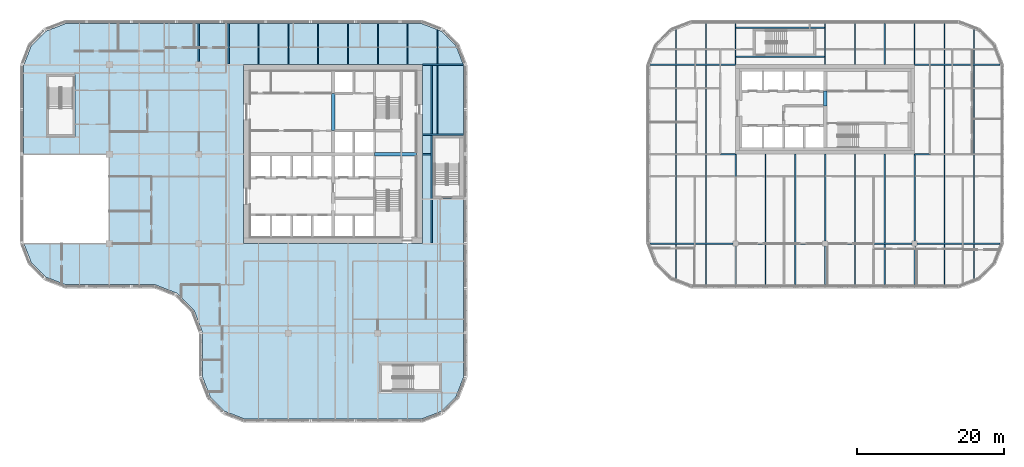
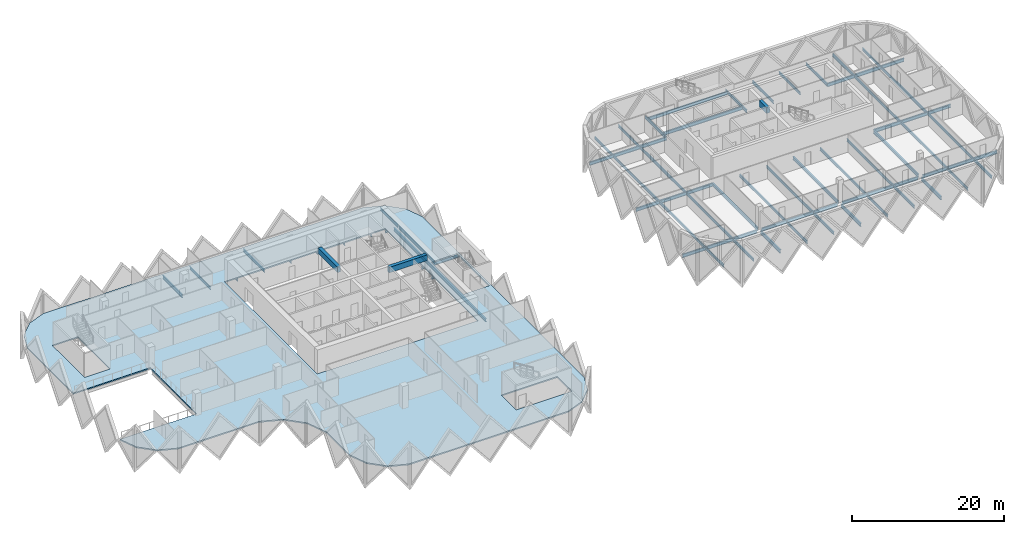
# One storey, part 2 of 21: 62 beams, 1 slab.
"""IFC4 building model written with IfcOpenShell, lengths in metres."""

from ifc_helpers import new_model, si_unit, direction, frame, origin, origin_2d, place, context, subcontext, project, spatial, polyline, rectangle, i_section, outline, extrude, material, layer, layer_set, material_profile, profile_set, type_object, element, save


model = new_model("IFC4")

# Units and contexts
model_context = context("Model", 3, precision=1e-05, world=origin(), true_north=direction((0.0, 1.0)))
body_context = subcontext(model_context, "Body", "Model", "MODEL_VIEW")
ifc_project = project(units=[si_unit("LENGTHUNIT", "METRE"), si_unit("AREAUNIT", "SQUARE_METRE"), si_unit("VOLUMEUNIT", "CUBIC_METRE"), si_unit("PLANEANGLEUNIT", "RADIAN"), si_unit("MASSUNIT", "GRAM", prefix="KILO")], contexts=[model_context])

# Site, building, storey
site_placement = place(None, origin())
site = spatial("IfcSite", under=ifc_project, at=site_placement, CompositionType="ELEMENT")
building_placement = place(site_placement, origin())
building = spatial("IfcBuilding", under=site, at=building_placement, Name="Tessera Gate Towers", CompositionType="ELEMENT")
storey_placement = place(building_placement, frame((0.0, 0.0, 91.39990234375)))
storey = spatial("IfcBuildingStorey", under=building, at=storey_placement, Name="L22", CompositionType="ELEMENT", Elevation=91.39990234375)

# Beams
ifc_material_1 = material(Name="Concrete C50/60", Category="concrete")
ifc_material_profile_1 = material_profile(ifc_material_1, rectangle(XDim=0.5, YDim=0.89990234375, at=origin_2d()), Name="RC 500x900")
ifc_profile_set_1 = profile_set([ifc_material_profile_1], Name="Concrete C50/60")
beam_type_1 = type_object("IfcBeamType", Name="COUPLING BEAM 500x900 C50/60", PredefinedType="BEAM", material=ifc_profile_set_1)
beam_1_placement = place(storey_placement, frame((109.800048828125, 43.199951171875, 3.150146484375), z_axis=(0.0, 1.0, 0.0), x_axis=(-1.0, 0.0, 0.0)))
element("IfcBeam", 1, at=beam_1_placement, inside=storey, type_object=beam_type_1, Name="L22 coupling beam 1", PredefinedType="BEAM", context=body_context, shape_type="SweptSolid", body=[
    extrude(rectangle(XDim=0.5, YDim=0.89990234375, at=origin_2d()), origin(), (0.0, 0.0, 1.0), 2.0),
])
ifc_material_2 = material(Name="Concrete C60/75", Category="concrete")
ifc_material_profile_2 = material_profile(ifc_material_2, rectangle(XDim=0.5, YDim=0.89990234375, at=origin_2d()), Name="RC 500x900")
ifc_profile_set_2 = profile_set([ifc_material_profile_2], Name="Concrete C60/75")
beam_type_2 = type_object("IfcBeamType", Name="COUPLING BEAM 500x900 C60/75", PredefinedType="BEAM", material=ifc_profile_set_2)
beam_2_placement = place(storey_placement, frame((48.35009765625, 36.60009765625, 3.150146484375), z_axis=(1.0, 0.0, 0.0), x_axis=(0.0, 1.0, 0.0)))
element("IfcBeam", 2, at=beam_2_placement, inside=storey, type_object=beam_type_2, Name="L22 coupling beam 1", PredefinedType="BEAM", context=body_context, shape_type="SweptSolid", body=[
    extrude(rectangle(XDim=0.5, YDim=0.89990234375, at=origin_2d()), origin(), (0.0, 0.0, 1.0), 5.75),
])
beam_3_placement = place(storey_placement, frame((42.699951171875, 39.800048828125, 3.150146484375), z_axis=(0.0, 1.0, 0.0), x_axis=(-1.0, 0.0, 0.0)))
element("IfcBeam", 3, at=beam_3_placement, inside=storey, type_object=beam_type_2, Name="L22 coupling beam 2", PredefinedType="BEAM", context=body_context, shape_type="SweptSolid", body=[
    extrude(rectangle(XDim=0.5, YDim=0.89990234375, at=origin_2d()), origin(), (0.0, 0.0, 1.0), 5.099853515625),
])
ifc_material_3 = material(Name="Steel 350W", Category="steel")
ifc_material_profile_3 = material_profile(ifc_material_3, i_section(OverallWidth=0.208984375, OverallDepth=0.532958984375, WebThickness=0.01025390625, FlangeThickness=0.015625, at=origin_2d()), Name="W530x92")
ifc_profile_set_3 = profile_set([ifc_material_profile_3], Name="Steel 350W")
beam_type_3 = type_object("IfcBeamType", Name="FLOOR GIRDER W530x92", PredefinedType="BEAM", material=ifc_profile_set_3)
beam_4_placement = place(storey_placement, frame((54.89892578125, 36.60009765625, -0.46630859375), z_axis=(1.0, 0.0, 0.0), x_axis=(0.0, 1.0, 0.0)))
element("IfcBeam", 4, at=beam_4_placement, inside=storey, type_object=beam_type_3, Name="T1-GD-L22-2949", PredefinedType="BEAM", context=body_context, shape_type="SweptSolid", body=[
    extrude(i_section(OverallWidth=0.208984375, OverallDepth=0.532958984375, WebThickness=0.01025390625, FlangeThickness=0.015625, at=origin_2d()), origin(), (0.0, 0.0, 1.0), 1.176513671875),
])
beam_5_placement = place(storey_placement, frame((54.90087890625, 48.800048828125, -0.46630859375), z_axis=(1.0, 0.0, 0.0), x_axis=(0.0, 1.0, 0.0)))
element("IfcBeam", 5, at=beam_5_placement, inside=storey, type_object=beam_type_3, Name="T1-GD-L22-2953", PredefinedType="BEAM", context=body_context, shape_type="SweptSolid", body=[
    extrude(i_section(OverallWidth=0.208984375, OverallDepth=0.532958984375, WebThickness=0.01025390625, FlangeThickness=0.015625, at=origin_2d()), origin(), (0.0, 0.0, 1.0), 5.564208984375),
])
beam_6_placement = place(storey_placement, frame((24.39990234375, 49.25, -0.46630859375), z_axis=(0.0, 1.0, 0.0), x_axis=(-1.0, 0.0, 0.0)))
element("IfcBeam", 6, at=beam_6_placement, inside=storey, type_object=beam_type_3, Name="T1-GD-L22-2961", PredefinedType="BEAM", context=body_context, shape_type="SweptSolid", body=[
    extrude(i_section(OverallWidth=0.208984375, OverallDepth=0.532958984375, WebThickness=0.01025390625, FlangeThickness=0.015625, at=origin_2d()), origin(), (0.0, 0.0, 1.0), 5.15087890625),
])
beam_7_placement = place(storey_placement, frame((54.89892578125, 39.219970703125, -0.46630859375), z_axis=(1.0, 0.0, 0.0), x_axis=(0.0, 1.0, 0.0)))
element("IfcBeam", 7, at=beam_7_placement, inside=storey, type_object=beam_type_3, Name="T1-GD-L22-2971", PredefinedType="BEAM", context=body_context, shape_type="SweptSolid", body=[
    extrude(i_section(OverallWidth=0.208984375, OverallDepth=0.532958984375, WebThickness=0.01025390625, FlangeThickness=0.015625, at=origin_2d()), origin(), (0.0, 0.0, 1.0), 5.60205078125),
])
beam_8_placement = place(storey_placement, frame((56.179931640625, 24.50439453125, -0.46630859375), z_axis=(0.0, 1.0, 0.0), x_axis=(-1.0, 0.0, 0.0)))
element("IfcBeam", 8, at=beam_8_placement, inside=storey, type_object=beam_type_3, Name="T1-GD-L22-2972", PredefinedType="BEAM", context=body_context, shape_type="SweptSolid", body=[
    extrude(i_section(OverallWidth=0.208984375, OverallDepth=0.532958984375, WebThickness=0.01025390625, FlangeThickness=0.015625, at=origin_2d()), origin(), (0.0, 0.0, 1.0), 24.191162109375),
])
beam_9_placement = place(storey_placement, frame((85.934814453125, 24.39990234375, -0.46630859375), z_axis=(1.0, 0.0, 0.0), x_axis=(0.0, 1.0, 0.0)))
element("IfcBeam", 9, at=beam_9_placement, inside=storey, type_object=beam_type_3, Name="T2-GD-L22-3013", PredefinedType="BEAM", context=body_context, shape_type="SweptSolid", body=[
    extrude(i_section(OverallWidth=0.208984375, OverallDepth=0.532958984375, WebThickness=0.01025390625, FlangeThickness=0.015625, at=origin_2d()), origin(), (0.0, 0.0, 1.0), 11.315185546875),
])
for number, where, z_axis, x_axis, name in (
    (10, (97.949951171875, 24.39990234375, -0.46630859375), (1.0, 0.0, 0.0), (0.0, 1.0, 0.0), "T2-GD-L22-3014"),
    (11, (110.14990234375, 24.39990234375, -0.46630859375), (1.0, 0.0, 0.0), (0.0, 1.0, 0.0), "T2-GD-L22-3015"),
):
    element("IfcBeam", number, at=place(storey_placement, frame(where, z_axis=z_axis, x_axis=x_axis)), inside=storey, type_object=beam_type_3, Name=name, PredefinedType="BEAM", context=body_context, shape_type="SweptSolid", body=[
        extrude(i_section(OverallWidth=0.208984375, OverallDepth=0.532958984375, WebThickness=0.01025390625, FlangeThickness=0.015625, at=origin_2d()), origin(), (0.0, 0.0, 1.0), 11.5),
    ])
beam_10_placement = place(storey_placement, frame((122.35009765625, 24.39990234375, -0.46630859375), z_axis=(1.0, 0.0, 0.0), x_axis=(0.0, 1.0, 0.0)))
element("IfcBeam", 12, at=beam_10_placement, inside=storey, type_object=beam_type_3, Name="T2-GD-L22-3016", PredefinedType="BEAM", context=body_context, shape_type="SweptSolid", body=[
    extrude(i_section(OverallWidth=0.208984375, OverallDepth=0.532958984375, WebThickness=0.01025390625, FlangeThickness=0.015625, at=origin_2d()), origin(), (0.0, 0.0, 1.0), 11.315185546875),
])
beam_11_placement = place(storey_placement, frame((85.89892578125, 36.60009765625, -0.46630859375), z_axis=(1.0, 0.0, 0.0), x_axis=(0.0, 1.0, 0.0)))
element("IfcBeam", 13, at=beam_11_placement, inside=storey, type_object=beam_type_3, Name="T2-GD-L22-3017", PredefinedType="BEAM", context=body_context, shape_type="SweptSolid", body=[
    extrude(i_section(OverallWidth=0.208984375, OverallDepth=0.532958984375, WebThickness=0.01025390625, FlangeThickness=0.015625, at=origin_2d()), origin(), (0.0, 0.0, 1.0), 11.7001953125),
])
beam_12_placement = place(storey_placement, frame((122.0009765625, 36.60009765625, -0.46630859375), z_axis=(1.0, 0.0, 0.0), x_axis=(0.0, 1.0, 0.0)))
element("IfcBeam", 14, at=beam_12_placement, inside=storey, type_object=beam_type_3, Name="T2-GD-L22-3018", PredefinedType="BEAM", context=body_context, shape_type="SweptSolid", body=[
    extrude(i_section(OverallWidth=0.208984375, OverallDepth=0.532958984375, WebThickness=0.01025390625, FlangeThickness=0.015625, at=origin_2d()), origin(), (0.0, 0.0, 1.0), 11.699951171875),
])
for number, where, z_axis, x_axis, name in (
    (15, (85.934814453125, 48.800048828125, -0.46630859375), (1.0, 0.0, 0.0), (0.0, 1.0, 0.0), "T2-GD-L22-3019"),
    (16, (122.0009765625, 48.800048828125, -0.46630859375), (1.0, 0.0, 0.0), (0.0, 1.0, 0.0), "T2-GD-L22-3020"),
):
    element("IfcBeam", number, at=place(storey_placement, frame(where, z_axis=z_axis, x_axis=x_axis)), inside=storey, type_object=beam_type_3, Name=name, PredefinedType="BEAM", context=body_context, shape_type="SweptSolid", body=[
        extrude(i_section(OverallWidth=0.208984375, OverallDepth=0.532958984375, WebThickness=0.01025390625, FlangeThickness=0.015625, at=origin_2d()), origin(), (0.0, 0.0, 1.0), 11.664306640625),
    ])
beam_13_placement = place(storey_placement, frame((97.60009765625, 18.799072265625, -0.46630859375), z_axis=(0.0, 1.0, 0.0), x_axis=(-1.0, 0.0, 0.0)))
element("IfcBeam", 17, at=beam_13_placement, inside=storey, type_object=beam_type_3, Name="T2-GD-L22-3021", PredefinedType="BEAM", context=body_context, shape_type="SweptSolid", body=[
    extrude(i_section(OverallWidth=0.208984375, OverallDepth=0.532958984375, WebThickness=0.01025390625, FlangeThickness=0.015625, at=origin_2d()), origin(), (0.0, 0.0, 1.0), 5.2509765625),
])
beam_14_placement = place(storey_placement, frame((97.60009765625, 24.75, -0.46630859375), z_axis=(0.0, 1.0, 0.0), x_axis=(-1.0, 0.0, 0.0)))
element("IfcBeam", 18, at=beam_14_placement, inside=storey, type_object=beam_type_3, Name="T2-GD-L22-3022", PredefinedType="BEAM", context=body_context, shape_type="SweptSolid", body=[
    extrude(i_section(OverallWidth=0.208984375, OverallDepth=0.532958984375, WebThickness=0.01025390625, FlangeThickness=0.015625, at=origin_2d()), origin(), (0.0, 0.0, 1.0), 11.85009765625),
])
beam_15_placement = place(storey_placement, frame((109.800048828125, 18.799072265625, -0.46630859375), z_axis=(0.0, 1.0, 0.0), x_axis=(-1.0, 0.0, 0.0)))
element("IfcBeam", 19, at=beam_15_placement, inside=storey, type_object=beam_type_3, Name="T2-GD-L22-3023", PredefinedType="BEAM", context=body_context, shape_type="SweptSolid", body=[
    extrude(i_section(OverallWidth=0.208984375, OverallDepth=0.532958984375, WebThickness=0.01025390625, FlangeThickness=0.015625, at=origin_2d()), origin(), (0.0, 0.0, 1.0), 5.2509765625),
])
beam_16_placement = place(storey_placement, frame((109.800048828125, 24.75, -0.46630859375), z_axis=(0.0, 1.0, 0.0), x_axis=(-1.0, 0.0, 0.0)))
element("IfcBeam", 20, at=beam_16_placement, inside=storey, type_object=beam_type_3, Name="T2-GD-L22-3024", PredefinedType="BEAM", context=body_context, shape_type="SweptSolid", body=[
    extrude(i_section(OverallWidth=0.208984375, OverallDepth=0.532958984375, WebThickness=0.01025390625, FlangeThickness=0.015625, at=origin_2d()), origin(), (0.0, 0.0, 1.0), 11.85009765625),
])
beam_17_placement = place(storey_placement, frame((122.0, 18.799072265625, -0.46630859375), z_axis=(0.0, 1.0, 0.0), x_axis=(-1.0, 0.0, 0.0)))
element("IfcBeam", 21, at=beam_17_placement, inside=storey, type_object=beam_type_3, Name="T2-GD-L22-3025", PredefinedType="BEAM", context=body_context, shape_type="SweptSolid", body=[
    extrude(i_section(OverallWidth=0.208984375, OverallDepth=0.532958984375, WebThickness=0.01025390625, FlangeThickness=0.015625, at=origin_2d()), origin(), (0.0, 0.0, 1.0), 5.2509765625),
])
beam_18_placement = place(storey_placement, frame((122.0, 24.75, -0.46630859375), z_axis=(0.0, 1.0, 0.0), x_axis=(-1.0, 0.0, 0.0)))
element("IfcBeam", 22, at=beam_18_placement, inside=storey, type_object=beam_type_3, Name="T2-GD-L22-3026", PredefinedType="BEAM", context=body_context, shape_type="SweptSolid", body=[
    extrude(i_section(OverallWidth=0.208984375, OverallDepth=0.532958984375, WebThickness=0.01025390625, FlangeThickness=0.015625, at=origin_2d()), origin(), (0.0, 0.0, 1.0), 11.85009765625),
])
for number, where, z_axis, x_axis, name in (
    (23, (97.676513671875, 49.8798828125, -0.46630859375), (1.0, 0.0, 0.0), (0.0, 1.0, 0.0), "T2-GD-L22-3027"),
    (24, (97.676513671875, 53.820068359375, -0.46630859375), (1.0, 0.0, 0.0), (0.0, 1.0, 0.0), "T2-GD-L22-3028"),
):
    element("IfcBeam", number, at=place(storey_placement, frame(where, z_axis=z_axis, x_axis=x_axis)), inside=storey, type_object=beam_type_3, Name=name, PredefinedType="BEAM", context=body_context, shape_type="SweptSolid", body=[
        extrude(i_section(OverallWidth=0.208984375, OverallDepth=0.532958984375, WebThickness=0.01025390625, FlangeThickness=0.015625, at=origin_2d()), origin(), (0.0, 0.0, 1.0), 12.046875),
    ])
ifc_material_4 = material(Name="Steel 350W", Category="steel")
ifc_material_profile_4 = material_profile(ifc_material_4, i_section(OverallWidth=0.153076171875, OverallDepth=0.455078125, WebThickness=0.008056640625, FlangeThickness=0.01318359375, at=origin_2d()), Name="W460x60")
ifc_profile_set_4 = profile_set([ifc_material_profile_4], Name="Steel 350W")
beam_type_4 = type_object("IfcBeamType", Name="FLOOR SECONDARY W460x60", PredefinedType="BEAM", material=ifc_profile_set_4)
beam_19_placement = place(storey_placement, frame((28.466796875, 48.904541015625, -0.427490234375), z_axis=(0.0, 1.0, 0.0), x_axis=(-1.0, 0.0, 0.0)))
element("IfcBeam", 25, at=beam_19_placement, inside=storey, type_object=beam_type_4, Name="T1-BM-L22-2991", PredefinedType="BEAM", context=body_context, shape_type="SweptSolid", body=[
    extrude(i_section(OverallWidth=0.153076171875, OverallDepth=0.455078125, WebThickness=0.008056640625, FlangeThickness=0.01318359375, at=origin_2d()), origin(), (0.0, 0.0, 1.0), 5.495361328125),
])
for number, where, z_axis, x_axis, name in (
    (26, (32.533203125, 48.800048828125, -0.427490234375), (0.0, 1.0, 0.0), (-1.0, 0.0, 0.0), "T1-BM-L22-2994"),
    (27, (36.60009765625, 48.800048828125, -0.427490234375), (0.0, 1.0, 0.0), (-1.0, 0.0, 0.0), "T1-BM-L22-2995"),
    (28, (40.666748046875, 48.800048828125, -0.427490234375), (0.0, 1.0, 0.0), (-1.0, 0.0, 0.0), "T1-BM-L22-2998"),
    (29, (44.7333984375, 48.800048828125, -0.427490234375), (0.0, 1.0, 0.0), (-1.0, 0.0, 0.0), "T1-BM-L22-3001"),
    (30, (48.800048828125, 48.800048828125, -0.427490234375), (0.0, 1.0, 0.0), (-1.0, 0.0, 0.0), "T1-BM-L22-3002"),
    (31, (52.86669921875, 48.800048828125, -0.427490234375), (0.0, 1.0, 0.0), (-1.0, 0.0, 0.0), "T1-BM-L22-3006"),
):
    element("IfcBeam", number, at=place(storey_placement, frame(where, z_axis=z_axis, x_axis=x_axis)), inside=storey, type_object=beam_type_4, Name=name, PredefinedType="BEAM", context=body_context, shape_type="SweptSolid", body=[
        extrude(i_section(OverallWidth=0.153076171875, OverallDepth=0.455078125, WebThickness=0.008056640625, FlangeThickness=0.01318359375, at=origin_2d()), origin(), (0.0, 0.0, 1.0), 5.599853515625),
    ])
beam_20_placement = place(storey_placement, frame((56.933349609375, 39.324462890625, -0.427490234375), z_axis=(0.0, 1.0, 0.0), x_axis=(-1.0, 0.0, 0.0)))
element("IfcBeam", 32, at=beam_20_placement, inside=storey, type_object=beam_type_4, Name="T1-BM-L22-3011", PredefinedType="BEAM", context=body_context, shape_type="SweptSolid", body=[
    extrude(i_section(OverallWidth=0.153076171875, OverallDepth=0.455078125, WebThickness=0.008056640625, FlangeThickness=0.01318359375, at=origin_2d()), origin(), (0.0, 0.0, 1.0), 9.37109375),
])
for number, where, z_axis, x_axis, name in (
    (33, (56.933349609375, 48.904541015625, -0.427490234375), (0.0, 1.0, 0.0), (-1.0, 0.0, 0.0), "T1-BM-L22-3012"),
    (34, (89.466796875, 19.620361328125, -0.427490234375), (0.0, 1.0, 0.0), (-1.0, 0.0, 0.0), "T2-BM-L22-3029"),
):
    element("IfcBeam", number, at=place(storey_placement, frame(where, z_axis=z_axis, x_axis=x_axis)), inside=storey, type_object=beam_type_4, Name=name, PredefinedType="BEAM", context=body_context, shape_type="SweptSolid", body=[
        extrude(i_section(OverallWidth=0.153076171875, OverallDepth=0.455078125, WebThickness=0.008056640625, FlangeThickness=0.01318359375, at=origin_2d()), origin(), (0.0, 0.0, 1.0), 4.675048828125),
    ])
beam_21_placement = place(storey_placement, frame((89.466796875, 24.50439453125, -0.427490234375), z_axis=(0.0, 1.0, 0.0), x_axis=(-1.0, 0.0, 0.0)))
element("IfcBeam", 35, at=beam_21_placement, inside=storey, type_object=beam_type_4, Name="T2-BM-L22-3030", PredefinedType="BEAM", context=body_context, shape_type="SweptSolid", body=[
    extrude(i_section(OverallWidth=0.153076171875, OverallDepth=0.455078125, WebThickness=0.008056640625, FlangeThickness=0.01318359375, at=origin_2d()), origin(), (0.0, 0.0, 1.0), 11.9912109375),
])
beam_22_placement = place(storey_placement, frame((89.466796875, 36.70458984375, -0.427490234375), z_axis=(0.0, 1.0, 0.0), x_axis=(-1.0, 0.0, 0.0)))
element("IfcBeam", 36, at=beam_22_placement, inside=storey, type_object=beam_type_4, Name="T2-BM-L22-3031", PredefinedType="BEAM", context=body_context, shape_type="SweptSolid", body=[
    extrude(i_section(OverallWidth=0.153076171875, OverallDepth=0.455078125, WebThickness=0.008056640625, FlangeThickness=0.01318359375, at=origin_2d()), origin(), (0.0, 0.0, 1.0), 11.990966796875),
])
beam_23_placement = place(storey_placement, frame((89.466796875, 48.904541015625, -0.427490234375), z_axis=(0.0, 1.0, 0.0), x_axis=(-1.0, 0.0, 0.0)))
element("IfcBeam", 37, at=beam_23_placement, inside=storey, type_object=beam_type_4, Name="T2-BM-L22-3032", PredefinedType="BEAM", context=body_context, shape_type="SweptSolid", body=[
    extrude(i_section(OverallWidth=0.153076171875, OverallDepth=0.455078125, WebThickness=0.008056640625, FlangeThickness=0.01318359375, at=origin_2d()), origin(), (0.0, 0.0, 1.0), 4.675048828125),
])
beam_24_placement = place(storey_placement, frame((93.533203125, 18.800048828125, -0.427490234375), z_axis=(0.0, 1.0, 0.0), x_axis=(-1.0, 0.0, 0.0)))
element("IfcBeam", 38, at=beam_24_placement, inside=storey, type_object=beam_type_4, Name="T2-BM-L22-3033", PredefinedType="BEAM", context=body_context, shape_type="SweptSolid", body=[
    extrude(i_section(OverallWidth=0.153076171875, OverallDepth=0.455078125, WebThickness=0.008056640625, FlangeThickness=0.01318359375, at=origin_2d()), origin(), (0.0, 0.0, 1.0), 5.495361328125),
])
beam_25_placement = place(storey_placement, frame((93.533203125, 24.50439453125, -0.427490234375), z_axis=(0.0, 1.0, 0.0), x_axis=(-1.0, 0.0, 0.0)))
element("IfcBeam", 39, at=beam_25_placement, inside=storey, type_object=beam_type_4, Name="T2-BM-L22-3034", PredefinedType="BEAM", context=body_context, shape_type="SweptSolid", body=[
    extrude(i_section(OverallWidth=0.153076171875, OverallDepth=0.455078125, WebThickness=0.008056640625, FlangeThickness=0.01318359375, at=origin_2d()), origin(), (0.0, 0.0, 1.0), 11.9912109375),
])
beam_26_placement = place(storey_placement, frame((93.533203125, 36.70458984375, -0.427490234375), z_axis=(0.0, 1.0, 0.0), x_axis=(-1.0, 0.0, 0.0)))
element("IfcBeam", 40, at=beam_26_placement, inside=storey, type_object=beam_type_4, Name="T2-BM-L22-3035", PredefinedType="BEAM", context=body_context, shape_type="SweptSolid", body=[
    extrude(i_section(OverallWidth=0.153076171875, OverallDepth=0.455078125, WebThickness=0.008056640625, FlangeThickness=0.01318359375, at=origin_2d()), origin(), (0.0, 0.0, 1.0), 11.990966796875),
])
beam_27_placement = place(storey_placement, frame((93.533203125, 48.904541015625, -0.427490234375), z_axis=(0.0, 1.0, 0.0), x_axis=(-1.0, 0.0, 0.0)))
element("IfcBeam", 41, at=beam_27_placement, inside=storey, type_object=beam_type_4, Name="T2-BM-L22-3036", PredefinedType="BEAM", context=body_context, shape_type="SweptSolid", body=[
    extrude(i_section(OverallWidth=0.153076171875, OverallDepth=0.455078125, WebThickness=0.008056640625, FlangeThickness=0.01318359375, at=origin_2d()), origin(), (0.0, 0.0, 1.0), 5.495361328125),
])
beam_28_placement = place(storey_placement, frame((97.60009765625, 48.800048828125, -0.427490234375), z_axis=(0.0, 1.0, 0.0), x_axis=(-1.0, 0.0, 0.0)))
element("IfcBeam", 42, at=beam_28_placement, inside=storey, type_object=beam_type_4, Name="T2-BM-L22-3037", PredefinedType="BEAM", context=body_context, shape_type="SweptSolid", body=[
    extrude(i_section(OverallWidth=0.153076171875, OverallDepth=0.455078125, WebThickness=0.008056640625, FlangeThickness=0.01318359375, at=origin_2d()), origin(), (0.0, 0.0, 1.0), 5.599853515625),
])
beam_29_placement = place(storey_placement, frame((101.666748046875, 18.800048828125, -0.427490234375), z_axis=(0.0, 1.0, 0.0), x_axis=(-1.0, 0.0, 0.0)))
element("IfcBeam", 43, at=beam_29_placement, inside=storey, type_object=beam_type_4, Name="T2-BM-L22-3038", PredefinedType="BEAM", context=body_context, shape_type="SweptSolid", body=[
    extrude(i_section(OverallWidth=0.153076171875, OverallDepth=0.455078125, WebThickness=0.008056640625, FlangeThickness=0.01318359375, at=origin_2d()), origin(), (0.0, 0.0, 1.0), 5.495361328125),
])
beam_30_placement = place(storey_placement, frame((101.666748046875, 24.50439453125, -0.427490234375), z_axis=(0.0, 1.0, 0.0), x_axis=(-1.0, 0.0, 0.0)))
element("IfcBeam", 44, at=beam_30_placement, inside=storey, type_object=beam_type_4, Name="T2-BM-L22-3039", PredefinedType="BEAM", context=body_context, shape_type="SweptSolid", body=[
    extrude(i_section(OverallWidth=0.153076171875, OverallDepth=0.455078125, WebThickness=0.008056640625, FlangeThickness=0.01318359375, at=origin_2d()), origin(), (0.0, 0.0, 1.0), 12.095703125),
])
beam_31_placement = place(storey_placement, frame((105.7333984375, 18.800048828125, -0.427490234375), z_axis=(0.0, 1.0, 0.0), x_axis=(-1.0, 0.0, 0.0)))
element("IfcBeam", 45, at=beam_31_placement, inside=storey, type_object=beam_type_4, Name="T2-BM-L22-3040", PredefinedType="BEAM", context=body_context, shape_type="SweptSolid", body=[
    extrude(i_section(OverallWidth=0.153076171875, OverallDepth=0.455078125, WebThickness=0.008056640625, FlangeThickness=0.01318359375, at=origin_2d()), origin(), (0.0, 0.0, 1.0), 5.495361328125),
])
beam_32_placement = place(storey_placement, frame((105.7333984375, 24.50439453125, -0.427490234375), z_axis=(0.0, 1.0, 0.0), x_axis=(-1.0, 0.0, 0.0)))
element("IfcBeam", 46, at=beam_32_placement, inside=storey, type_object=beam_type_4, Name="T2-BM-L22-3041", PredefinedType="BEAM", context=body_context, shape_type="SweptSolid", body=[
    extrude(i_section(OverallWidth=0.153076171875, OverallDepth=0.455078125, WebThickness=0.008056640625, FlangeThickness=0.01318359375, at=origin_2d()), origin(), (0.0, 0.0, 1.0), 12.095703125),
])
beam_33_placement = place(storey_placement, frame((109.800048828125, 48.800048828125, -0.427490234375), z_axis=(0.0, 1.0, 0.0), x_axis=(-1.0, 0.0, 0.0)))
element("IfcBeam", 47, at=beam_33_placement, inside=storey, type_object=beam_type_4, Name="T2-BM-L22-3042", PredefinedType="BEAM", context=body_context, shape_type="SweptSolid", body=[
    extrude(i_section(OverallWidth=0.153076171875, OverallDepth=0.455078125, WebThickness=0.008056640625, FlangeThickness=0.01318359375, at=origin_2d()), origin(), (0.0, 0.0, 1.0), 5.599853515625),
])
beam_34_placement = place(storey_placement, frame((113.86669921875, 18.800048828125, -0.427490234375), z_axis=(0.0, 1.0, 0.0), x_axis=(-1.0, 0.0, 0.0)))
element("IfcBeam", 48, at=beam_34_placement, inside=storey, type_object=beam_type_4, Name="T2-BM-L22-3043", PredefinedType="BEAM", context=body_context, shape_type="SweptSolid", body=[
    extrude(i_section(OverallWidth=0.153076171875, OverallDepth=0.455078125, WebThickness=0.008056640625, FlangeThickness=0.01318359375, at=origin_2d()), origin(), (0.0, 0.0, 1.0), 5.495361328125),
])
beam_35_placement = place(storey_placement, frame((113.86669921875, 24.50439453125, -0.427490234375), z_axis=(0.0, 1.0, 0.0), x_axis=(-1.0, 0.0, 0.0)))
element("IfcBeam", 49, at=beam_35_placement, inside=storey, type_object=beam_type_4, Name="T2-BM-L22-3044", PredefinedType="BEAM", context=body_context, shape_type="SweptSolid", body=[
    extrude(i_section(OverallWidth=0.153076171875, OverallDepth=0.455078125, WebThickness=0.008056640625, FlangeThickness=0.01318359375, at=origin_2d()), origin(), (0.0, 0.0, 1.0), 12.095703125),
])
beam_36_placement = place(storey_placement, frame((113.86669921875, 48.800048828125, -0.427490234375), z_axis=(0.0, 1.0, 0.0), x_axis=(-1.0, 0.0, 0.0)))
element("IfcBeam", 50, at=beam_36_placement, inside=storey, type_object=beam_type_4, Name="T2-BM-L22-3045", PredefinedType="BEAM", context=body_context, shape_type="SweptSolid", body=[
    extrude(i_section(OverallWidth=0.153076171875, OverallDepth=0.455078125, WebThickness=0.008056640625, FlangeThickness=0.01318359375, at=origin_2d()), origin(), (0.0, 0.0, 1.0), 5.599853515625),
])
beam_37_placement = place(storey_placement, frame((117.933349609375, 18.800048828125, -0.427490234375), z_axis=(0.0, 1.0, 0.0), x_axis=(-1.0, 0.0, 0.0)))
element("IfcBeam", 51, at=beam_37_placement, inside=storey, type_object=beam_type_4, Name="T2-BM-L22-3046", PredefinedType="BEAM", context=body_context, shape_type="SweptSolid", body=[
    extrude(i_section(OverallWidth=0.153076171875, OverallDepth=0.455078125, WebThickness=0.008056640625, FlangeThickness=0.01318359375, at=origin_2d()), origin(), (0.0, 0.0, 1.0), 5.495361328125),
])
beam_38_placement = place(storey_placement, frame((117.933349609375, 24.50439453125, -0.427490234375), z_axis=(0.0, 1.0, 0.0), x_axis=(-1.0, 0.0, 0.0)))
element("IfcBeam", 52, at=beam_38_placement, inside=storey, type_object=beam_type_4, Name="T2-BM-L22-3047", PredefinedType="BEAM", context=body_context, shape_type="SweptSolid", body=[
    extrude(i_section(OverallWidth=0.153076171875, OverallDepth=0.455078125, WebThickness=0.008056640625, FlangeThickness=0.01318359375, at=origin_2d()), origin(), (0.0, 0.0, 1.0), 12.095703125),
])
for number, where, z_axis, x_axis, name in (
    (53, (117.933349609375, 48.800048828125, -0.427490234375), (0.0, 1.0, 0.0), (-1.0, 0.0, 0.0), "T2-BM-L22-3048"),
    (54, (122.0, 48.800048828125, -0.427490234375), (0.0, 1.0, 0.0), (-1.0, 0.0, 0.0), "T2-BM-L22-3049"),
):
    element("IfcBeam", number, at=place(storey_placement, frame(where, z_axis=z_axis, x_axis=x_axis)), inside=storey, type_object=beam_type_4, Name=name, PredefinedType="BEAM", context=body_context, shape_type="SweptSolid", body=[
        extrude(i_section(OverallWidth=0.153076171875, OverallDepth=0.455078125, WebThickness=0.008056640625, FlangeThickness=0.01318359375, at=origin_2d()), origin(), (0.0, 0.0, 1.0), 5.599853515625),
    ])
beam_39_placement = place(storey_placement, frame((126.066650390625, 18.800048828125, -0.427490234375), z_axis=(0.0, 1.0, 0.0), x_axis=(-1.0, 0.0, 0.0)))
element("IfcBeam", 55, at=beam_39_placement, inside=storey, type_object=beam_type_4, Name="T2-BM-L22-3050", PredefinedType="BEAM", context=body_context, shape_type="SweptSolid", body=[
    extrude(i_section(OverallWidth=0.153076171875, OverallDepth=0.455078125, WebThickness=0.008056640625, FlangeThickness=0.01318359375, at=origin_2d()), origin(), (0.0, 0.0, 1.0), 5.495361328125),
])
beam_40_placement = place(storey_placement, frame((126.066650390625, 24.50439453125, -0.427490234375), z_axis=(0.0, 1.0, 0.0), x_axis=(-1.0, 0.0, 0.0)))
element("IfcBeam", 56, at=beam_40_placement, inside=storey, type_object=beam_type_4, Name="T2-BM-L22-3051", PredefinedType="BEAM", context=body_context, shape_type="SweptSolid", body=[
    extrude(i_section(OverallWidth=0.153076171875, OverallDepth=0.455078125, WebThickness=0.008056640625, FlangeThickness=0.01318359375, at=origin_2d()), origin(), (0.0, 0.0, 1.0), 11.9912109375),
])
beam_41_placement = place(storey_placement, frame((126.066650390625, 36.70458984375, -0.427490234375), z_axis=(0.0, 1.0, 0.0), x_axis=(-1.0, 0.0, 0.0)))
element("IfcBeam", 57, at=beam_41_placement, inside=storey, type_object=beam_type_4, Name="T2-BM-L22-3052", PredefinedType="BEAM", context=body_context, shape_type="SweptSolid", body=[
    extrude(i_section(OverallWidth=0.153076171875, OverallDepth=0.455078125, WebThickness=0.008056640625, FlangeThickness=0.01318359375, at=origin_2d()), origin(), (0.0, 0.0, 1.0), 11.990966796875),
])
beam_42_placement = place(storey_placement, frame((126.066650390625, 48.904541015625, -0.427490234375), z_axis=(0.0, 1.0, 0.0), x_axis=(-1.0, 0.0, 0.0)))
element("IfcBeam", 58, at=beam_42_placement, inside=storey, type_object=beam_type_4, Name="T2-BM-L22-3053", PredefinedType="BEAM", context=body_context, shape_type="SweptSolid", body=[
    extrude(i_section(OverallWidth=0.153076171875, OverallDepth=0.455078125, WebThickness=0.008056640625, FlangeThickness=0.01318359375, at=origin_2d()), origin(), (0.0, 0.0, 1.0), 5.495361328125),
])
beam_43_placement = place(storey_placement, frame((130.13330078125, 19.620361328125, -0.427490234375), z_axis=(0.0, 1.0, 0.0), x_axis=(-1.0, 0.0, 0.0)))
element("IfcBeam", 59, at=beam_43_placement, inside=storey, type_object=beam_type_4, Name="T2-BM-L22-3054", PredefinedType="BEAM", context=body_context, shape_type="SweptSolid", body=[
    extrude(i_section(OverallWidth=0.153076171875, OverallDepth=0.455078125, WebThickness=0.008056640625, FlangeThickness=0.01318359375, at=origin_2d()), origin(), (0.0, 0.0, 1.0), 4.675048828125),
])
beam_44_placement = place(storey_placement, frame((130.13330078125, 24.50439453125, -0.427490234375), z_axis=(0.0, 1.0, 0.0), x_axis=(-1.0, 0.0, 0.0)))
element("IfcBeam", 60, at=beam_44_placement, inside=storey, type_object=beam_type_4, Name="T2-BM-L22-3055", PredefinedType="BEAM", context=body_context, shape_type="SweptSolid", body=[
    extrude(i_section(OverallWidth=0.153076171875, OverallDepth=0.455078125, WebThickness=0.008056640625, FlangeThickness=0.01318359375, at=origin_2d()), origin(), (0.0, 0.0, 1.0), 11.9912109375),
])
beam_45_placement = place(storey_placement, frame((130.13330078125, 36.70458984375, -0.427490234375), z_axis=(0.0, 1.0, 0.0), x_axis=(-1.0, 0.0, 0.0)))
element("IfcBeam", 61, at=beam_45_placement, inside=storey, type_object=beam_type_4, Name="T2-BM-L22-3056", PredefinedType="BEAM", context=body_context, shape_type="SweptSolid", body=[
    extrude(i_section(OverallWidth=0.153076171875, OverallDepth=0.455078125, WebThickness=0.008056640625, FlangeThickness=0.01318359375, at=origin_2d()), origin(), (0.0, 0.0, 1.0), 11.990966796875),
])
beam_46_placement = place(storey_placement, frame((130.13330078125, 48.904541015625, -0.427490234375), z_axis=(0.0, 1.0, 0.0), x_axis=(-1.0, 0.0, 0.0)))
element("IfcBeam", 62, at=beam_46_placement, inside=storey, type_object=beam_type_4, Name="T2-BM-L22-3057", PredefinedType="BEAM", context=body_context, shape_type="SweptSolid", body=[
    extrude(i_section(OverallWidth=0.153076171875, OverallDepth=0.455078125, WebThickness=0.008056640625, FlangeThickness=0.01318359375, at=origin_2d()), origin(), (0.0, 0.0, 1.0), 4.675048828125),
])

# Slab
ifc_material_5 = material(Name="Concrete C35/45", Category="concrete")
ifc_layer = layer(ifc_material_5, 0.199951171875)
ifc_layer_set = layer_set([ifc_layer], Name="COMPOSITE FLOOR 200")
slab_type = type_object("IfcSlabType", Name="COMPOSITE FLOOR 200", PredefinedType="FLOOR", material=ifc_layer_set)
slab_placement = place(storey_placement, frame((0.0, 0.0, -0.199951171875)))
element("IfcSlab", 63, at=slab_placement, inside=storey, type_object=slab_type, Name="T1-L22", PredefinedType="FLOOR", context=body_context, shape_type="SweptSolid", body=[
    extrude(outline(polyline([(0.5, 36.60009765625), (12.199951171875, 36.60009765625), (12.199951171875, 24.39990234375), (0.535888671875, 24.39990234375), (1.526123046875, 21.8330078125), (3.533203125, 19.826171875), (6.193115234375, 18.800048828125), (18.39306640625, 18.800048828125), (21.42431640625, 17.630615234375), (23.730712890625, 15.32421875), (24.89990234375, 12.293212890625), (24.89990234375, 6.193115234375), (25.926025390625, 3.533203125), (27.93310546875, 1.526123046875), (30.593017578125, 0.5), (54.806884765625, 0.5), (57.466796875, 1.526123046875), (59.473876953125, 3.533203125), (60.5, 6.193115234375), (60.5, 48.706787109375), (59.473876953125, 51.366943359375), (57.466796875, 53.373779296875), (54.806884765625, 54.39990234375), (6.193115234375, 54.39990234375), (3.533203125, 53.373779296875), (1.526123046875, 51.366943359375), (0.5, 48.706787109375), (0.5, 36.60009765625)]), holes=[polyline([(3.60009765625, 39.0), (3.60009765625, 47.5), (7.5, 47.5), (7.5, 39.0), (3.60009765625, 39.0)]), polyline([(30.5, 24.39990234375), (30.5, 48.800048828125), (54.89990234375, 48.800048828125), (54.89990234375, 24.39990234375), (30.5, 24.39990234375)]), polyline([(49.0, 4.199951171875), (49.0, 8.10009765625), (57.5, 8.10009765625), (57.5, 4.199951171875), (49.0, 4.199951171875)]), polyline([(56.300048828125, 30.60009765625), (56.300048828125, 39.10009765625), (60.199951171875, 39.10009765625), (60.199951171875, 30.60009765625), (56.300048828125, 30.60009765625)])]), origin(), (0.0, 0.0, 1.0), 0.199951171875),
])

save(model, "model.ifc")
